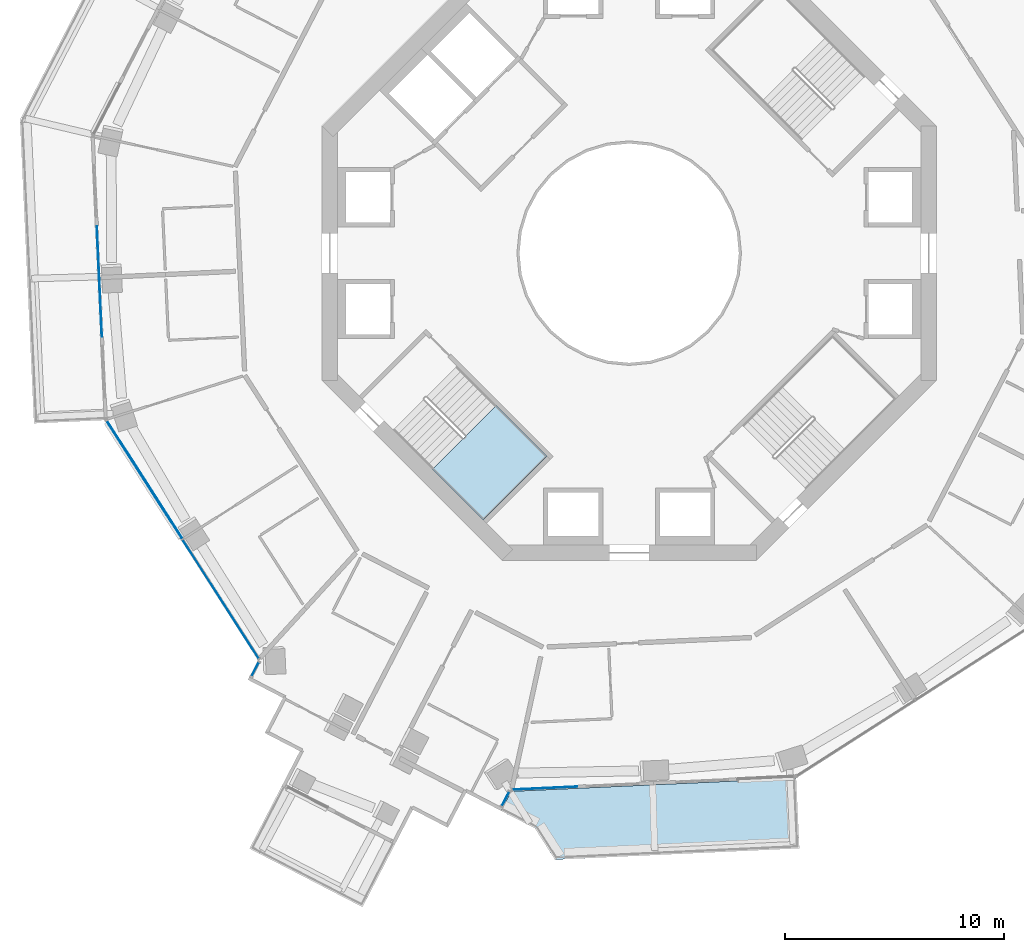
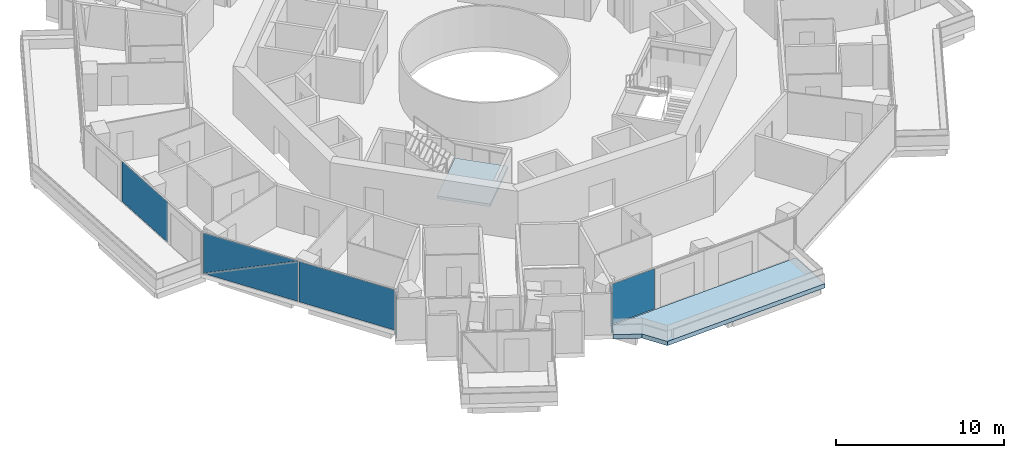
# One storey, part 11 of 22: 7 plates, 2 slabs, 6 elements without a shape of their own.
"""IFC4 building model written with IfcOpenShell, lengths in metres."""

from ifc_helpers import new_model, si_unit, direction, frame, origin, origin_2d, place, context, subcontext, project, spatial, polyline, rectangle, outline, extrude, material, layer, layer_set, type_object, element, aggregate, save


model = new_model("IFC4")

# Units and contexts
model_context = context("Model", 3, precision=1e-05, world=origin(), true_north=direction((0.0, 1.0)))
body_context = subcontext(model_context, "Body", "Model", "MODEL_VIEW")
ifc_project = project(units=[si_unit("LENGTHUNIT", "METRE"), si_unit("AREAUNIT", "SQUARE_METRE"), si_unit("VOLUMEUNIT", "CUBIC_METRE"), si_unit("PLANEANGLEUNIT", "RADIAN"), si_unit("MASSUNIT", "GRAM", prefix="KILO")], contexts=[model_context])

# Site, building, storey
site_placement = place(None, origin())
site = spatial("IfcSite", under=ifc_project, at=site_placement, CompositionType="ELEMENT")
building_placement = place(site_placement, origin())
building = spatial("IfcBuilding", under=site, at=building_placement, Name="Verdalira Terraces Hotel", CompositionType="ELEMENT")
storey_placement = place(building_placement, frame((0.0, 0.0, 165.5)))
storey = spatial("IfcBuildingStorey", under=building, at=storey_placement, Name="L40", CompositionType="ELEMENT", Elevation=165.5)

# Slab
ifc_material_1 = material(Name="Precast concrete C40/50", Category="concrete")
ifc_layer_1 = layer(ifc_material_1, 0.31005859375)
ifc_layer_set_1 = layer_set([ifc_layer_1], Name="Balcony deck 310")
slab_type_1 = type_object("IfcSlabType", Name="Balcony deck 310", PredefinedType="FLOOR", material=ifc_layer_set_1)
slab_1_placement = place(storey_placement, frame((0.0, 0.0, -0.310059)))
element("IfcSlab", 1, at=slab_1_placement, inside=storey, type_object=slab_type_1, Name="Balcony deck", PredefinedType="FLOOR", context=body_context, shape_type="SweptSolid", body=[
    extrude(outline(polyline([(-3.382812, -27.643555), (7.757812, -27.129883), (7.610352, -23.933105), (-5.375732, -24.531982), (-5.835449, -25.420166), (-4.297119, -26.216064), (-3.382812, -27.643555)])), origin(), (0.0, 0.0, 1.0), 0.310059),
])

# Curtain wall, plate
ifc_material_2 = material(Name="Clear glass", Category="glass")
ifc_layer_2 = layer(ifc_material_2, 0.14990234375)
ifc_layer_set_2 = layer_set([ifc_layer_2], Name="CW1 curtain wall")
curtain_wall_type_1 = type_object("IfcCurtainWallType", Name="CW1 curtain wall", PredefinedType="NOTDEFINED", material=ifc_layer_set_2)
curtain_wall_1_placement = place(storey_placement, origin())
curtain_wall_1 = element("IfcCurtainWall", 2, at=curtain_wall_1_placement, inside=storey, type_object=curtain_wall_type_1, Name="CW1 curtain wall L40 edge 12", PredefinedType="NOTDEFINED")
ifc_material_3 = material(Name="Clear glass", Category="glass")
ifc_layer_3 = layer(ifc_material_3, 0.028076171875)
ifc_layer_set_3 = layer_set([ifc_layer_3], Name="CW1 glass unit 28")
plate_type_1 = type_object("IfcPlateType", Name="CW1 glass unit 28", PredefinedType="CURTAIN_PANEL", material=ifc_layer_set_3)
plate_1_placement = place(storey_placement, frame((-24.149902, -1.281982, 0.0), z_axis=(0.0, 0.0, 1.0), x_axis=(0.04606039, -0.998938657, 0.0)))
plate_1 = element("IfcPlate", 3, at=plate_1_placement, type_object=plate_type_1, Name="CW1 glass unit", PredefinedType="CURTAIN_PANEL", context=body_context, shape_type="SweptSolid", body=[
    extrude(rectangle(XDim=5.042969, YDim=0.028076, at=origin_2d()), origin(), (0.0, 0.0, 1.0), 2.935059),
])
aggregate(curtain_wall_1, [plate_1])

# Curtain wall, plates
curtain_wall_2_placement = place(storey_placement, origin())
curtain_wall_2 = element("IfcCurtainWall", 4, at=curtain_wall_2_placement, inside=storey, type_object=curtain_wall_type_1, Name="CW1 curtain wall L40 edge 13", PredefinedType="NOTDEFINED")
plate_2_placement = place(storey_placement, frame((-22.086426, -10.328613, 1.467529), z_axis=(-0.842076059, -0.539358796, 0.0), x_axis=(0.539358796, -0.842076059, 0.0)))
plate_2 = element("IfcPlate", 5, at=plate_2_placement, type_object=plate_type_1, Name="CW1 glass unit", PredefinedType="CURTAIN_PANEL", context=body_context, shape_type="SweptSolid", body=[
    extrude(outline(polyline([(-3.185059, -1.467529), (3.185059, -1.467529), (3.185059, 1.467529), (-3.185059, -1.467529)])), origin(), (0.0, 0.0, 1.0), 0.028076),
])
plate_3_placement = place(storey_placement, frame((-22.061768, -10.312988, 1.467529), z_axis=(-0.842076059, -0.539358796, 0.0), x_axis=(0.539358796, -0.842076059, 0.0)))
plate_3 = element("IfcPlate", 6, at=plate_3_placement, type_object=plate_type_1, Name="CW1 glass unit", PredefinedType="CURTAIN_PANEL", context=body_context, shape_type="SweptSolid", body=[
    extrude(outline(polyline([(-3.185059, -1.467529), (3.185059, 1.467529), (-3.185059, 1.467529), (-3.185059, -1.467529)])), origin(), (0.0, 0.0, 1.0), 0.028076),
])
plate_4_placement = place(storey_placement, frame((-18.619385, -15.767578, 0.0), z_axis=(0.0, 0.0, 1.0), x_axis=(0.539358796, -0.842076059, 0.0)))
plate_4 = element("IfcPlate", 7, at=plate_4_placement, type_object=plate_type_1, Name="CW1 glass unit", PredefinedType="CURTAIN_PANEL", context=body_context, shape_type="SweptSolid", body=[
    extrude(rectangle(XDim=6.409912, YDim=0.028076, at=origin_2d()), origin(), (0.0, 0.0, 1.0), 2.935059),
])
aggregate(curtain_wall_2, [plate_2, plate_3, plate_4])

# Curtain wall, plate
curtain_wall_3_placement = place(storey_placement, origin())
curtain_wall_3 = element("IfcCurtainWall", 8, at=curtain_wall_3_placement, inside=storey, type_object=curtain_wall_type_1, Name="CW1 curtain wall L40 edge 25", PredefinedType="NOTDEFINED")
plate_5_placement = place(storey_placement, frame((-3.838379, -24.385986, 0.0), z_axis=(0.0, 0.0, 1.0), x_axis=(0.998938657, 0.04606039, 0.0)))
plate_5 = element("IfcPlate", 9, at=plate_5_placement, type_object=plate_type_1, Name="CW1 glass unit", PredefinedType="CURTAIN_PANEL", context=body_context, shape_type="SweptSolid", body=[
    extrude(rectangle(XDim=2.965088, YDim=0.028076, at=origin_2d()), origin(), (0.0, 0.0, 1.0), 2.935059),
])
aggregate(curtain_wall_3, [plate_5])

ifc_material_4 = material(Name="Clear glass", Category="glass")
ifc_layer_4 = layer(ifc_material_4, 0.14990234375)
ifc_layer_set_4 = layer_set([ifc_layer_4], Name="CW2 curtain wall")
curtain_wall_type_2 = type_object("IfcCurtainWallType", Name="CW2 curtain wall", PredefinedType="NOTDEFINED", material=ifc_layer_set_4)
curtain_wall_4_placement = place(storey_placement, origin())
curtain_wall_4 = element("IfcCurtainWall", 10, at=curtain_wall_4_placement, inside=storey, type_object=curtain_wall_type_2, Name="CW2 curtain wall L40 edge 14", PredefinedType="NOTDEFINED")
ifc_material_5 = material(Name="Clear glass", Category="glass")
ifc_layer_5 = layer(ifc_material_5, 0.031982421875)
ifc_layer_set_5 = layer_set([ifc_layer_5], Name="CW2 glass unit 32")
plate_type_2 = type_object("IfcPlateType", Name="CW2 glass unit 32", PredefinedType="CURTAIN_PANEL", material=ifc_layer_set_5)
plate_6_placement = place(storey_placement, frame((-17.050293, -18.969482, 0.0), z_axis=(0.0, 0.0, 1.0), x_axis=(-0.459579861, -0.888136449, 0.0)))
plate_6 = element("IfcPlate", 11, at=plate_6_placement, type_object=plate_type_2, Name="CW2 glass unit", PredefinedType="CURTAIN_PANEL", context=body_context, shape_type="SweptSolid", body=[
    extrude(rectangle(XDim=0.709961, YDim=0.031982, at=origin_2d()), origin(), (0.0, 0.0, 1.0), 2.935059),
])
aggregate(curtain_wall_4, [plate_6])

curtain_wall_5_placement = place(storey_placement, origin())
curtain_wall_5 = element("IfcCurtainWall", 12, at=curtain_wall_5_placement, inside=storey, type_object=curtain_wall_type_2, Name="CW2 curtain wall L40 edge 24", PredefinedType="NOTDEFINED")
plate_7_placement = place(storey_placement, frame((-5.637695, -24.875, 0.0), z_axis=(0.0, 0.0, 1.0), x_axis=(0.459579861, 0.888136449, 0.0)))
plate_7 = element("IfcPlate", 13, at=plate_7_placement, type_object=plate_type_2, Name="CW2 glass unit", PredefinedType="CURTAIN_PANEL", context=body_context, shape_type="SweptSolid", body=[
    extrude(rectangle(XDim=0.709961, YDim=0.031982, at=origin_2d()), origin(), (0.0, 0.0, 1.0), 2.935059),
])
aggregate(curtain_wall_5, [plate_7])

# Stair, slab
ifc_material_6 = material(Name="Concrete C40", Category="concrete")
stair_type = type_object("IfcStairType", Name="Core stair 20 risers 2000 mm wide", PredefinedType="HALF_TURN_STAIR", material=ifc_material_6)
stair_placement = place(storey_placement, origin())
stair = element("IfcStair", 14, at=stair_placement, inside=storey, type_object=stair_type, Name="L40 Exit stair ST2", PredefinedType="HALF_TURN_STAIR")
ifc_material_7 = material(Name="Concrete C40", Category="concrete")
ifc_layer_6 = layer(ifc_material_7, 0.199951171875)
ifc_layer_set_6 = layer_set([ifc_layer_6], Name="Core stair landing 200 mm")
slab_type_2 = type_object("IfcSlabType", Name="Core stair landing 200 mm", PredefinedType="LANDING", material=ifc_layer_set_6)
slab_2_placement = place(storey_placement, frame((0.0, 0.0, 1.550049)))
slab_2 = element("IfcSlab", 15, at=slab_2_placement, type_object=slab_type_2, Name="ST2 landing 1", PredefinedType="LANDING", context=body_context, shape_type="SweptSolid", body=[
    extrude(outline(polyline([(-8.966553, -9.842529), (-6.646729, -12.162354), (-3.747559, -9.263184), (-6.067383, -6.943359), (-8.966553, -9.842529)])), origin(), (0.0, 0.0, 1.0), 0.199951),
])
aggregate(stair, [slab_2])

save(model, "model.ifc")
